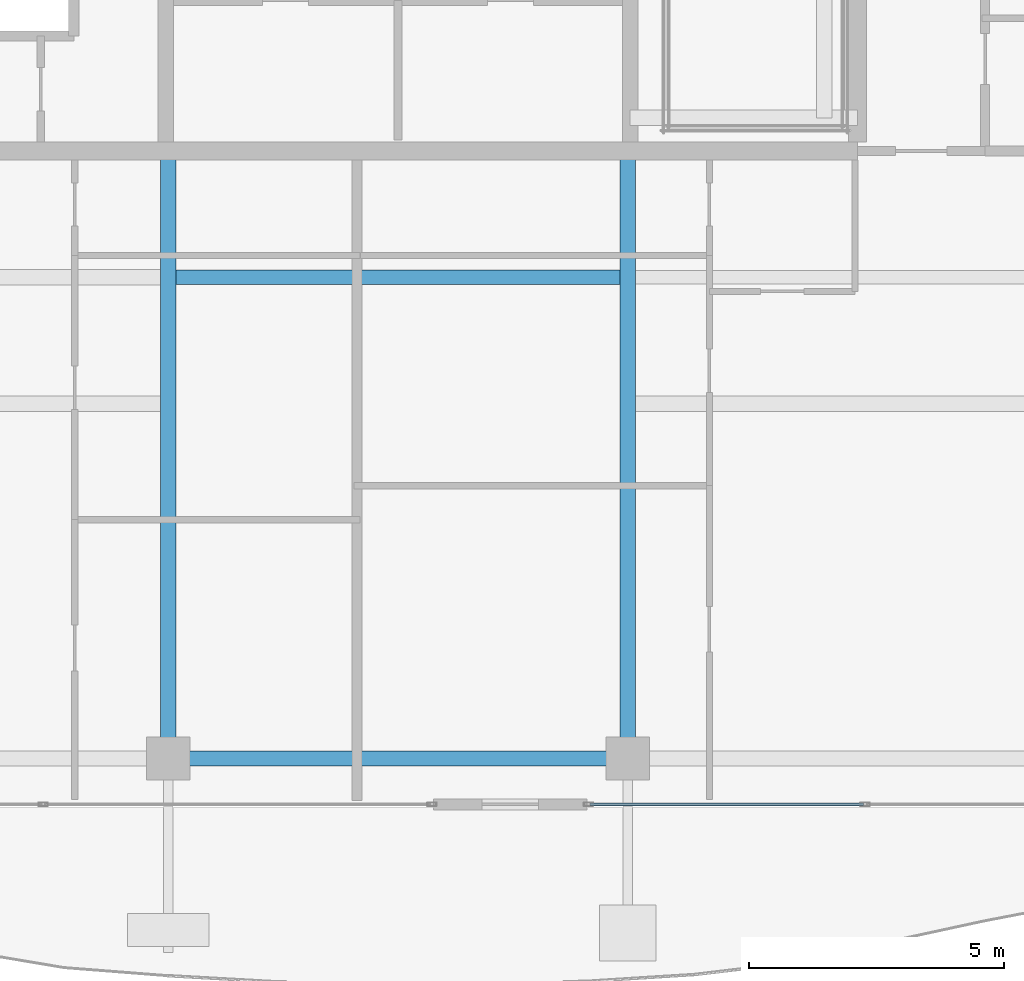
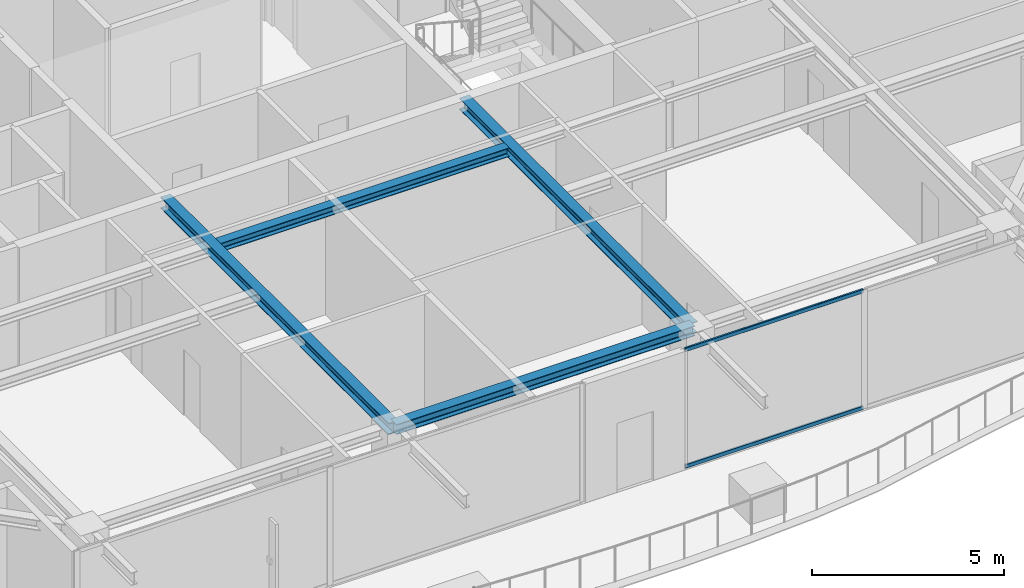
# One storey, part 6 of 36: 4 beams, 2 members, 1 element without a shape of its own.
"""IFC4 building model written with IfcOpenShell, lengths in metres."""

from ifc_helpers import new_model, si_unit, direction, frame, origin, origin_2d, place, context, subcontext, project, spatial, hollow_rectangle, i_section, extrude, source, transform, mapped, material, layer, layer_set, material_profile, profile_set, type_object, element, aggregate, save


model = new_model("IFC4")

# Units and contexts
model_context = context("Model", 3, precision=1e-05, world=origin(), true_north=direction((0.0, 1.0)))
body_context = subcontext(model_context, "Body", "Model", "MODEL_VIEW")
ifc_project = project(units=[si_unit("LENGTHUNIT", "METRE"), si_unit("AREAUNIT", "SQUARE_METRE"), si_unit("VOLUMEUNIT", "CUBIC_METRE"), si_unit("PLANEANGLEUNIT", "RADIAN"), si_unit("MASSUNIT", "GRAM", prefix="KILO")], contexts=[model_context])

# Site, building, storey
site_placement = place(None, origin())
site = spatial("IfcSite", under=ifc_project, at=site_placement, CompositionType="ELEMENT")
building_placement = place(site_placement, origin())
building = spatial("IfcBuilding", under=site, at=building_placement, Name="Serunith Strait Residences", CompositionType="ELEMENT")
storey_placement = place(building_placement, frame((0.0, 0.0, 338.0)))
storey = spatial("IfcBuildingStorey", under=building, at=storey_placement, Name="L84", CompositionType="ELEMENT", Elevation=338.0)

# Beams
ifc_material_1 = material(Name="Steel S355J2", Category="steel")
ifc_material_profile_1 = material_profile(ifc_material_1, i_section(OverallWidth=0.280029296875, OverallDepth=0.280029296875, WebThickness=0.010498046875, FlangeThickness=0.01806640625, FilletRadius=0.02392578125, at=origin_2d()), Name="HEB 280")
ifc_profile_set_1 = profile_set([ifc_material_profile_1], Name="Steel S355J2")
beam_type_1 = type_object("IfcBeamType", Name="BM-HEB280", PredefinedType="JOIST", material=ifc_profile_set_1)
shared_shape_1 = source(origin(), body_context, "Body", "SweptSolid", [
    extrude(i_section(OverallWidth=0.280029296875, OverallDepth=0.280029296875, WebThickness=0.010498046875, FlangeThickness=0.01806640625, FilletRadius=0.02392578125, at=origin_2d()), origin(), (0.0, 0.0, 1.0), 8.699951171875),
])
beam_1_placement = place(storey_placement, frame((28.050048828125, 14.324951171875, 3.64697265625), z_axis=(1.0, 0.0, 0.0), x_axis=(0.0, 1.0, 0.0)))
element("IfcBeam", 1, at=beam_1_placement, inside=storey, type_object=beam_type_1, Name="L84 Composite Floor Joist 02", PredefinedType="JOIST", context=body_context, shape_type="MappedRepresentation", body=[
    mapped(shared_shape_1, transform((0.0, 0.0, 0.0), scale=1.0)),
])
ifc_material_profile_2 = material_profile(ifc_material_1, i_section(OverallWidth=0.300048828125, OverallDepth=0.360107421875, WebThickness=0.012451171875, FlangeThickness=0.0224609375, FilletRadius=0.027099609375, at=origin_2d()), Name="HEB 360")
ifc_profile_set_2 = profile_set([ifc_material_profile_2], Name="Steel S355J2")
beam_type_2 = type_object("IfcBeamType", Name="BM-HEB360", PredefinedType="BEAM", material=ifc_profile_set_2)
shared_shape_2 = source(origin(), body_context, "Body", "SweptSolid", [
    extrude(i_section(OverallWidth=0.300048828125, OverallDepth=0.360107421875, WebThickness=0.012451171875, FlangeThickness=0.0224609375, FilletRadius=0.027099609375, at=origin_2d()), origin(), (0.0, 0.0, 1.0), 11.900146484375),
])
for number, where, z_axis, x_axis, name in (
    (2, (27.89990234375, 16.800048828125, 3.60693359375), (0.0, -1.0, 0.0), (1.0, 0.0, 0.0), "L84 Primary Floor Girder TC-S2"),
    (3, (36.89990234375, 16.800048828125, 3.60693359375), (0.0, -1.0, 0.0), (1.0, 0.0, 0.0), "L84 Primary Floor Girder TC-S3"),
):
    element("IfcBeam", number, at=place(storey_placement, frame(where, z_axis=z_axis, x_axis=x_axis)), inside=storey, type_object=beam_type_2, Name=name, PredefinedType="BEAM", context=body_context, shape_type="MappedRepresentation", body=[
        mapped(shared_shape_2, transform((0.0, 0.0, 0.0), scale=1.0)),
    ])
ifc_material_profile_3 = material_profile(ifc_material_1, i_section(OverallWidth=0.300048828125, OverallDepth=0.320068359375, WebThickness=0.011474609375, FlangeThickness=0.0205078125, FilletRadius=0.027099609375, at=origin_2d()), Name="HEB 320")
ifc_profile_set_3 = profile_set([ifc_material_profile_3], Name="Steel S355J2")
beam_type_3 = type_object("IfcBeamType", Name="BM-HEB320", PredefinedType="BEAM", material=ifc_profile_set_3)
shared_shape_3 = source(origin(), body_context, "Body", "SweptSolid", [
    extrude(i_section(OverallWidth=0.300048828125, OverallDepth=0.320068359375, WebThickness=0.011474609375, FlangeThickness=0.0205078125, FilletRadius=0.027099609375, at=origin_2d()), origin(), (0.0, 0.0, 1.0), 9.0),
])
beam_2_placement = place(storey_placement, frame((27.89990234375, 4.89990234375, 3.626953125), z_axis=(1.0, 0.0, 0.0), x_axis=(0.0, 1.0, 0.0)))
element("IfcBeam", 4, at=beam_2_placement, inside=storey, type_object=beam_type_3, Name="L84 Perimeter Ring Beam 02", PredefinedType="BEAM", context=body_context, shape_type="MappedRepresentation", body=[
    mapped(shared_shape_3, transform((0.0, 0.0, 0.0), scale=1.0)),
])

# Curtain wall, members
ifc_material_2 = material(Name="Brushed Stainless-Silver Aluminium", Category="aluminium")
ifc_layer = layer(ifc_material_2, 0.199951171875, Name="Brushed Stainless-Silver Aluminium")
ifc_layer_set = layer_set([ifc_layer], Name="Brushed Stainless-Silver Aluminium")
curtain_wall_type = type_object("IfcCurtainWallType", Name="CW-SYS5", PredefinedType="NOTDEFINED", material=ifc_layer_set)
curtain_wall_placement = place(storey_placement, origin())
curtain_wall = element("IfcCurtainWall", 5, at=curtain_wall_placement, inside=storey, type_object=curtain_wall_type, Name="L84 S Unitised Fritted Curtain Wall", PredefinedType="NOTDEFINED")
ifc_material_profile_4 = material_profile(ifc_material_2, hollow_rectangle(XDim=0.06005859375, YDim=0.1201171875, WallThickness=0.00341796875, InnerFilletRadius=0.00537109375, OuterFilletRadius=0.0087890625, at=origin_2d()), Name="ALU 120x60x3.5")
ifc_profile_set_4 = profile_set([ifc_material_profile_4], Name="Brushed Stainless-Silver Aluminium")
member_type = type_object("IfcMemberType", Name="CW-SYS5-TRAN", PredefinedType="USERDEFINED", material=ifc_profile_set_4)
shared_shape_4 = source(origin(), body_context, "Body", "SweptSolid", [
    extrude(hollow_rectangle(XDim=0.06005859375, YDim=0.1201171875, WallThickness=0.00341796875, InnerFilletRadius=0.00537109375, OuterFilletRadius=0.0087890625, at=origin_2d()), origin(), (0.0, 0.0, 1.0), 5.3525390625),
])
member_1_placement = place(storey_placement, frame((36.1650390625, 4.0, 0.030029296875), z_axis=(1.0, 0.0, 0.0), x_axis=(0.0, 1.0, 0.0)))
member_1 = element("IfcMember", 6, at=member_1_placement, type_object=member_type, Name="CW-5 transom 1.1", ObjectType="TRANSOM", PredefinedType="USERDEFINED", context=body_context, shape_type="MappedRepresentation", body=[
    mapped(shared_shape_4, transform((0.0, 0.0, 0.0), scale=1.0)),
])
member_2_placement = place(storey_placement, frame((36.1650390625, 4.0, 3.7451171875), z_axis=(1.0, 0.0, 0.0), x_axis=(0.0, 1.0, 0.0)))
member_2 = element("IfcMember", 7, at=member_2_placement, type_object=member_type, Name="CW-5 transom 1.2", ObjectType="TRANSOM", PredefinedType="USERDEFINED", context=body_context, shape_type="MappedRepresentation", body=[
    mapped(shared_shape_4, transform((0.0, 0.0, 0.0), scale=1.0)),
])
aggregate(curtain_wall, [member_1, member_2])

save(model, "model.ifc")
